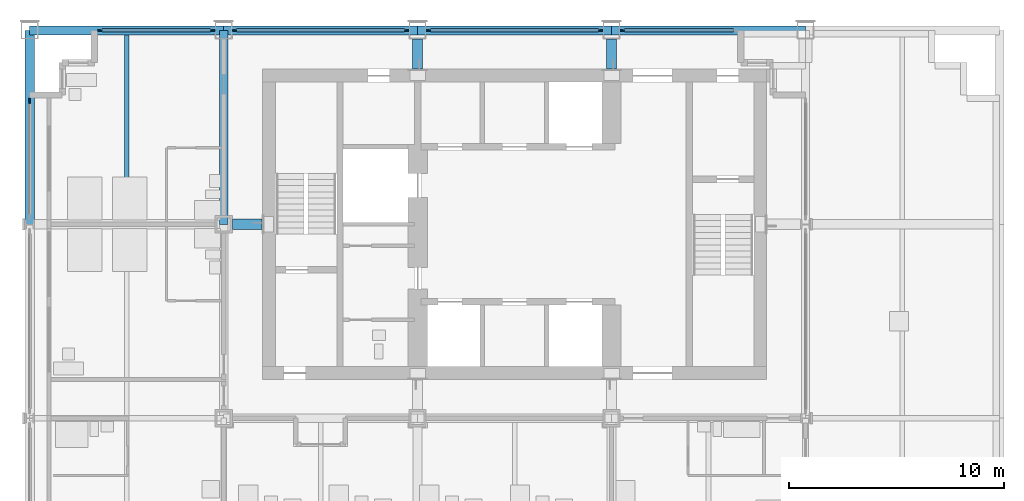
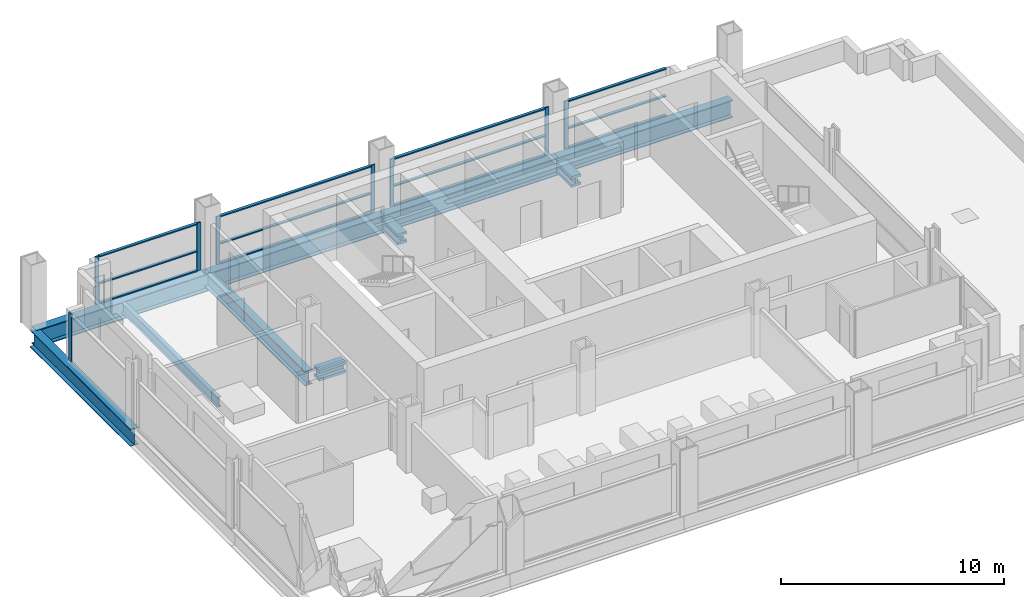
# One storey, part 3 of 12: 23 members, 7 beams, 5 elements without a shape of their own.
"""IFC4 building model written with IfcOpenShell, lengths in metres."""

from ifc_helpers import new_model, si_unit, direction, frame, origin, origin_2d, place, context, subcontext, project, spatial, rectangle, i_section, extrude, material, material_profile, profile_set, type_object, element, aggregate, save


model = new_model("IFC4")

# Units and contexts
model_context = context("Model", 3, precision=1e-05, world=origin(), true_north=direction((0.0, 1.0)))
body_context = subcontext(model_context, "Body", "Model", "MODEL_VIEW")
ifc_project = project(units=[si_unit("LENGTHUNIT", "METRE"), si_unit("AREAUNIT", "SQUARE_METRE"), si_unit("VOLUMEUNIT", "CUBIC_METRE"), si_unit("PLANEANGLEUNIT", "RADIAN"), si_unit("MASSUNIT", "GRAM", prefix="KILO")], contexts=[model_context])

# Site, building, storey
site_placement = place(None, origin())
site = spatial("IfcSite", under=ifc_project, at=site_placement, CompositionType="ELEMENT")
building_placement = place(site_placement, origin())
building = spatial("IfcBuilding", under=site, at=building_placement, Name="Loomwork Tower", CompositionType="ELEMENT")
storey_placement = place(building_placement, frame((0.0, 0.0, 226.60009765625)))
storey = spatial("IfcBuildingStorey", under=building, at=storey_placement, Name="L62", CompositionType="ELEMENT", Elevation=226.60009765625)

# Beams
ifc_material_1 = material(Name="Steel ASTM A992", Category="steel")
ifc_material_profile_1 = material_profile(ifc_material_1, i_section(OverallWidth=0.424072265625, OverallDepth=0.947509765625, WebThickness=0.02392578125, FlangeThickness=0.042724609375, at=origin_2d()), Name="W36x302")
ifc_profile_set_1 = profile_set([ifc_material_profile_1], Name="Steel ASTM A992")
beam_type_1 = type_object("IfcBeamType", Name="BELT CHORD SPANDREL W36x302", PredefinedType="SPANDREL", material=ifc_profile_set_1)
for number, where, z_axis, x_axis, name in (
    (1, (0.0, 27.0, -0.673828125), (1.0, 0.0, 0.0), (0.0, 1.0, 0.0), "Belt Chord Spandrel G/2-G/3 L62"),
    (2, (9.0, 27.0, -0.673828125), (1.0, 0.0, 0.0), (0.0, 1.0, 0.0), "Belt Chord Spandrel G/3-G/4 L62"),
    (3, (18.0, 27.0, -0.673828125), (1.0, 0.0, 0.0), (0.0, 1.0, 0.0), "Belt Chord Spandrel G/4-G/5 L62"),
    (4, (27.0, 27.0, -0.673828125), (1.0, 0.0, 0.0), (0.0, 1.0, 0.0), "Belt Chord Spandrel G/5-G/6 L62"),
    (5, (0.0, 18.0, -0.673828125), (0.0, 1.0, 0.0), (-1.0, 0.0, 0.0), "Belt Chord Spandrel F/2-G/2 L62"),
):
    element("IfcBeam", number, at=place(storey_placement, frame(where, z_axis=z_axis, x_axis=x_axis)), inside=storey, type_object=beam_type_1, Name=name, PredefinedType="SPANDREL", context=body_context, shape_type="SweptSolid", body=[
        extrude(i_section(OverallWidth=0.424072265625, OverallDepth=0.947509765625, WebThickness=0.02392578125, FlangeThickness=0.042724609375, at=origin_2d()), origin(), (0.0, 0.0, 1.0), 9.0),
    ])
ifc_material_2 = material(Name="Steel ASTM A992", Category="steel")
ifc_material_profile_2 = material_profile(ifc_material_2, i_section(OverallWidth=0.383544921875, OverallDepth=0.794921875, WebThickness=0.02099609375, FlangeThickness=0.0380859375, at=origin_2d()), Name="W30x235")
ifc_profile_set_2 = profile_set([ifc_material_profile_2], Name="Steel ASTM A992")
beam_type_2 = type_object("IfcBeamType", Name="CORE FLANK GIRDER W30x235", PredefinedType="BEAM", material=ifc_profile_set_2)
beam_1_placement = place(storey_placement, frame((9.0, 18.0, -0.59765625), z_axis=(0.0, 1.0, 0.0), x_axis=(-1.0, 0.0, 0.0)))
element("IfcBeam", 6, at=beam_1_placement, inside=storey, type_object=beam_type_2, Name="Core Flank Girder F/3-G/3 L62", PredefinedType="BEAM", context=body_context, shape_type="SweptSolid", body=[
    extrude(i_section(OverallWidth=0.383544921875, OverallDepth=0.794921875, WebThickness=0.02099609375, FlangeThickness=0.0380859375, at=origin_2d()), origin(), (0.0, 0.0, 1.0), 9.0),
])
ifc_material_3 = material(Name="Steel ASTM A992", Category="steel")
ifc_material_profile_3 = material_profile(ifc_material_3, i_section(OverallWidth=0.21240234375, OverallDepth=0.54345703125, WebThickness=0.01318359375, FlangeThickness=0.021240234375, at=origin_2d()), Name="W21x83")
ifc_profile_set_3 = profile_set([ifc_material_profile_3], Name="Steel ASTM A992")
beam_type_3 = type_object("IfcBeamType", Name="FLOOR JOIST W21x83", PredefinedType="JOIST", material=ifc_profile_set_3)
beam_2_placement = place(storey_placement, frame((4.5, 18.2119140625, -0.471923828125), z_axis=(0.0, 1.0, 0.0), x_axis=(-1.0, 0.0, 0.0)))
element("IfcBeam", 7, at=beam_2_placement, inside=storey, type_object=beam_type_3, Name="Floor Joist 4.500,18.000-4.500,27.000 L62", PredefinedType="JOIST", context=body_context, shape_type="SweptSolid", body=[
    extrude(i_section(OverallWidth=0.21240234375, OverallDepth=0.54345703125, WebThickness=0.01318359375, FlangeThickness=0.021240234375, at=origin_2d()), origin(), (0.0, 0.0, 1.0), 8.576171875),
])

# Members
ifc_material_4 = material(Name="Steel ASTM A992", Category="steel")
ifc_material_profile_4 = material_profile(ifc_material_4, i_section(OverallWidth=0.4775390625, OverallDepth=0.599365234375, WebThickness=0.10009765625, FlangeThickness=0.139892578125, at=origin_2d()), Name="W14x873")
ifc_profile_set_4 = profile_set([ifc_material_profile_4], Name="Steel ASTM A992")
member_type_1 = type_object("IfcMemberType", Name="OUTRIGGER STRUT W14x873", PredefinedType="STRUT", material=ifc_profile_set_4)
for number, where, z_axis, x_axis, name in (
    (8, (27.0, 26.590087890625, -0.499755859375), (0.0, -1.0, 0.0), (1.0, 0.0, 0.0), "Outrigger strut G/5-27.000,24.900 L62"),
    (9, (18.0, 26.590087890625, -0.499755859375), (0.0, -1.0, 0.0), (1.0, 0.0, 0.0), "Outrigger strut G/4-18.000,24.900 L62"),
    (10, (9.409912109375, 18.0, -0.499755859375), (1.0, 0.0, 0.0), (0.0, 1.0, 0.0), "Outrigger strut F/3-11.100,18.000 L62"),
):
    element("IfcMember", number, at=place(storey_placement, frame(where, z_axis=z_axis, x_axis=x_axis)), inside=storey, type_object=member_type_1, Name=name, PredefinedType="STRUT", context=body_context, shape_type="SweptSolid", body=[
        extrude(i_section(OverallWidth=0.4775390625, OverallDepth=0.599365234375, WebThickness=0.10009765625, FlangeThickness=0.139892578125, at=origin_2d()), origin(), (0.0, 0.0, 1.0), 1.375),
    ])

# Curtain wall, member
ifc_material_5 = material(Name="Aluminium curtain wall frame", Category="aluminium")
curtain_wall_type_1 = type_object("IfcCurtainWallType", Name="Outer skin glazing suites", PredefinedType="NOTDEFINED", material=ifc_material_5)
curtain_wall_1_placement = place(storey_placement, origin())
curtain_wall_1 = element("IfcCurtainWall", 11, at=curtain_wall_1_placement, inside=storey, type_object=curtain_wall_type_1, Name="Outer skin glazing suites cw/W-18", PredefinedType="NOTDEFINED")
ifc_material_6 = material(Name="Aluminium curtain wall frame", Category="aluminium")
ifc_material_profile_5 = material_profile(ifc_material_6, rectangle(XDim=0.06494140625, YDim=0.25, at=origin_2d()), Name="AL 65x250")
ifc_profile_set_5 = profile_set([ifc_material_profile_5], Name="Aluminium curtain wall frame")
member_type_2 = type_object("IfcMemberType", Name="Outer skin glazing suites mullion", PredefinedType="MULLION", material=ifc_profile_set_5)
member_1_placement = place(storey_placement, frame((0.0, 23.72509765625, 0.0), z_axis=(0.0, 0.0, 1.0), x_axis=(1.0, 0.0, 0.0)))
member_1 = element("IfcMember", 12, at=member_1_placement, type_object=member_type_2, Name="CW2 mullion 1", PredefinedType="MULLION", context=body_context, shape_type="SweptSolid", body=[
    extrude(rectangle(XDim=0.06494140625, YDim=0.25, at=origin_2d()), origin(), (0.0, 0.0, 1.0), 2.6201171875),
])
aggregate(curtain_wall_1, [member_1])

# Curtain wall, members
ifc_material_7 = material(Name="Aluminium curtain wall frame", Category="aluminium")
curtain_wall_type_2 = type_object("IfcCurtainWallType", Name="Single skin glazing corridor", PredefinedType="NOTDEFINED", material=ifc_material_7)
curtain_wall_2_placement = place(storey_placement, origin())
curtain_wall_2 = element("IfcCurtainWall", 13, at=curtain_wall_2_placement, inside=storey, type_object=curtain_wall_type_2, Name="Single skin glazing corridor cw/N-0", PredefinedType="NOTDEFINED")
ifc_material_8 = material(Name="Aluminium curtain wall frame", Category="aluminium")
ifc_material_profile_6 = material_profile(ifc_material_8, rectangle(XDim=0.06494140625, YDim=0.199951171875, at=origin_2d()), Name="AL 65x200")
ifc_profile_set_6 = profile_set([ifc_material_profile_6], Name="Aluminium curtain wall frame")
member_type_3 = type_object("IfcMemberType", Name="Single skin glazing corridor mullion", PredefinedType="MULLION", material=ifc_profile_set_6)
member_2_placement = place(storey_placement, frame((8.5, 27.0, 0.0), z_axis=(0.0, 0.0, 1.0), x_axis=(0.0, -1.0, 0.0)))
member_2 = element("IfcMember", 14, at=member_2_placement, type_object=member_type_3, Name="CW3 mullion 1", PredefinedType="MULLION", context=body_context, shape_type="SweptSolid", body=[
    extrude(rectangle(XDim=0.06494140625, YDim=0.199951171875, at=origin_2d()), origin(), (0.0, 0.0, 1.0), 2.6201171875),
])
member_3_placement = place(storey_placement, frame((3.25, 27.0, 0.0), z_axis=(0.0, 0.0, 1.0), x_axis=(0.0, -1.0, 0.0)))
member_3 = element("IfcMember", 15, at=member_3_placement, type_object=member_type_3, Name="CW3 mullion 2", PredefinedType="MULLION", context=body_context, shape_type="SweptSolid", body=[
    extrude(rectangle(XDim=0.06494140625, YDim=0.199951171875, at=origin_2d()), origin(), (0.0, 0.0, 1.0), 2.6201171875),
])

curtain_wall_3_placement = place(storey_placement, origin())
curtain_wall_3 = element("IfcCurtainWall", 16, at=curtain_wall_3_placement, inside=storey, type_object=curtain_wall_type_2, Name="Single skin glazing corridor cw/N-9", PredefinedType="NOTDEFINED")
member_4_placement = place(storey_placement, frame((17.5, 27.0, 0.0), z_axis=(0.0, 0.0, 1.0), x_axis=(0.0, -1.0, 0.0)))
member_4 = element("IfcMember", 17, at=member_4_placement, type_object=member_type_3, Name="CW3 mullion 1", PredefinedType="MULLION", context=body_context, shape_type="SweptSolid", body=[
    extrude(rectangle(XDim=0.06494140625, YDim=0.199951171875, at=origin_2d()), origin(), (0.0, 0.0, 1.0), 2.6201171875),
])
member_5_placement = place(storey_placement, frame((9.5, 27.0, 0.0), z_axis=(0.0, 0.0, 1.0), x_axis=(0.0, -1.0, 0.0)))
member_5 = element("IfcMember", 18, at=member_5_placement, type_object=member_type_3, Name="CW3 mullion 2", PredefinedType="MULLION", context=body_context, shape_type="SweptSolid", body=[
    extrude(rectangle(XDim=0.06494140625, YDim=0.199951171875, at=origin_2d()), origin(), (0.0, 0.0, 1.0), 2.6201171875),
])

curtain_wall_4_placement = place(storey_placement, origin())
curtain_wall_4 = element("IfcCurtainWall", 19, at=curtain_wall_4_placement, inside=storey, type_object=curtain_wall_type_2, Name="Single skin glazing corridor cw/N-18", PredefinedType="NOTDEFINED")
member_6_placement = place(storey_placement, frame((26.5, 27.0, 0.0), z_axis=(0.0, 0.0, 1.0), x_axis=(0.0, -1.0, 0.0)))
member_6 = element("IfcMember", 20, at=member_6_placement, type_object=member_type_3, Name="CW3 mullion 1", PredefinedType="MULLION", context=body_context, shape_type="SweptSolid", body=[
    extrude(rectangle(XDim=0.06494140625, YDim=0.199951171875, at=origin_2d()), origin(), (0.0, 0.0, 1.0), 2.6201171875),
])
member_7_placement = place(storey_placement, frame((18.5, 27.0, 0.0), z_axis=(0.0, 0.0, 1.0), x_axis=(0.0, -1.0, 0.0)))
member_7 = element("IfcMember", 21, at=member_7_placement, type_object=member_type_3, Name="CW3 mullion 2", PredefinedType="MULLION", context=body_context, shape_type="SweptSolid", body=[
    extrude(rectangle(XDim=0.06494140625, YDim=0.199951171875, at=origin_2d()), origin(), (0.0, 0.0, 1.0), 2.6201171875),
])

# Curtain wall, member
curtain_wall_5_placement = place(storey_placement, origin())
curtain_wall_5 = element("IfcCurtainWall", 22, at=curtain_wall_5_placement, inside=storey, type_object=curtain_wall_type_2, Name="Single skin glazing corridor cw/N-27", PredefinedType="NOTDEFINED")
member_8_placement = place(storey_placement, frame((27.5, 27.0, 0.0), z_axis=(0.0, 0.0, 1.0), x_axis=(0.0, -1.0, 0.0)))
member_8 = element("IfcMember", 23, at=member_8_placement, type_object=member_type_3, Name="CW3 mullion 2", PredefinedType="MULLION", context=body_context, shape_type="SweptSolid", body=[
    extrude(rectangle(XDim=0.06494140625, YDim=0.199951171875, at=origin_2d()), origin(), (0.0, 0.0, 1.0), 2.6201171875),
])

# Member
ifc_material_9 = material(Name="Aluminium curtain wall frame", Category="aluminium")
ifc_material_profile_7 = material_profile(ifc_material_9, rectangle(XDim=0.14990234375, YDim=0.06494140625, at=origin_2d()), Name="AL 65x150")
ifc_profile_set_7 = profile_set([ifc_material_profile_7], Name="Aluminium curtain wall frame")
member_type_4 = type_object("IfcMemberType", Name="Single skin glazing corridor transom", PredefinedType="USERDEFINED", material=ifc_profile_set_7)
member_9_placement = place(storey_placement, frame((8.39990234375, 27.0, 0.032470703125), z_axis=(-1.0, 0.0, 0.0), x_axis=(0.0, -1.0, 0.0)))
member_9 = element("IfcMember", 24, at=member_9_placement, type_object=member_type_4, Name="CW3 transom 1.1", ObjectType="TRANSOM", PredefinedType="USERDEFINED", context=body_context, shape_type="SweptSolid", body=[
    extrude(rectangle(XDim=0.14990234375, YDim=0.06494140625, at=origin_2d()), origin(), (0.0, 0.0, 1.0), 5.0498046875),
])

member_10_placement = place(storey_placement, frame((8.39990234375, 27.0, 1.099853515625), z_axis=(-1.0, 0.0, 0.0), x_axis=(0.0, -1.0, 0.0)))
member_10 = element("IfcMember", 25, at=member_10_placement, type_object=member_type_4, Name="CW3 transom 1.2", ObjectType="TRANSOM", PredefinedType="USERDEFINED", context=body_context, shape_type="SweptSolid", body=[
    extrude(rectangle(XDim=0.14990234375, YDim=0.06494140625, at=origin_2d()), origin(), (0.0, 0.0, 1.0), 5.0498046875),
])

member_11_placement = place(storey_placement, frame((8.39990234375, 27.0, 2.587646484375), z_axis=(-1.0, 0.0, 0.0), x_axis=(0.0, -1.0, 0.0)))
member_11 = element("IfcMember", 26, at=member_11_placement, type_object=member_type_4, Name="CW3 transom 1.3", ObjectType="TRANSOM", PredefinedType="USERDEFINED", context=body_context, shape_type="SweptSolid", body=[
    extrude(rectangle(XDim=0.14990234375, YDim=0.06494140625, at=origin_2d()), origin(), (0.0, 0.0, 1.0), 5.0498046875),
])

aggregate(curtain_wall_2, [member_2, member_3, member_9, member_10, member_11])

member_12_placement = place(storey_placement, frame((17.39990234375, 27.0, 0.032470703125), z_axis=(-1.0, 0.0, 0.0), x_axis=(0.0, -1.0, 0.0)))
member_12 = element("IfcMember", 27, at=member_12_placement, type_object=member_type_4, Name="CW3 transom 1.1", ObjectType="TRANSOM", PredefinedType="USERDEFINED", context=body_context, shape_type="SweptSolid", body=[
    extrude(rectangle(XDim=0.14990234375, YDim=0.06494140625, at=origin_2d()), origin(), (0.0, 0.0, 1.0), 7.7998046875),
])

member_13_placement = place(storey_placement, frame((17.39990234375, 27.0, 1.099853515625), z_axis=(-1.0, 0.0, 0.0), x_axis=(0.0, -1.0, 0.0)))
member_13 = element("IfcMember", 28, at=member_13_placement, type_object=member_type_4, Name="CW3 transom 1.2", ObjectType="TRANSOM", PredefinedType="USERDEFINED", context=body_context, shape_type="SweptSolid", body=[
    extrude(rectangle(XDim=0.14990234375, YDim=0.06494140625, at=origin_2d()), origin(), (0.0, 0.0, 1.0), 7.7998046875),
])

member_14_placement = place(storey_placement, frame((17.39990234375, 27.0, 2.587646484375), z_axis=(-1.0, 0.0, 0.0), x_axis=(0.0, -1.0, 0.0)))
member_14 = element("IfcMember", 29, at=member_14_placement, type_object=member_type_4, Name="CW3 transom 1.3", ObjectType="TRANSOM", PredefinedType="USERDEFINED", context=body_context, shape_type="SweptSolid", body=[
    extrude(rectangle(XDim=0.14990234375, YDim=0.06494140625, at=origin_2d()), origin(), (0.0, 0.0, 1.0), 7.7998046875),
])

aggregate(curtain_wall_3, [member_4, member_5, member_12, member_13, member_14])

member_15_placement = place(storey_placement, frame((26.39990234375, 27.0, 0.032470703125), z_axis=(-1.0, 0.0, 0.0), x_axis=(0.0, -1.0, 0.0)))
member_15 = element("IfcMember", 30, at=member_15_placement, type_object=member_type_4, Name="CW3 transom 1.1", ObjectType="TRANSOM", PredefinedType="USERDEFINED", context=body_context, shape_type="SweptSolid", body=[
    extrude(rectangle(XDim=0.14990234375, YDim=0.06494140625, at=origin_2d()), origin(), (0.0, 0.0, 1.0), 7.7998046875),
])

member_16_placement = place(storey_placement, frame((26.39990234375, 27.0, 1.099853515625), z_axis=(-1.0, 0.0, 0.0), x_axis=(0.0, -1.0, 0.0)))
member_16 = element("IfcMember", 31, at=member_16_placement, type_object=member_type_4, Name="CW3 transom 1.2", ObjectType="TRANSOM", PredefinedType="USERDEFINED", context=body_context, shape_type="SweptSolid", body=[
    extrude(rectangle(XDim=0.14990234375, YDim=0.06494140625, at=origin_2d()), origin(), (0.0, 0.0, 1.0), 7.7998046875),
])

member_17_placement = place(storey_placement, frame((26.39990234375, 27.0, 2.587646484375), z_axis=(-1.0, 0.0, 0.0), x_axis=(0.0, -1.0, 0.0)))
member_17 = element("IfcMember", 32, at=member_17_placement, type_object=member_type_4, Name="CW3 transom 1.3", ObjectType="TRANSOM", PredefinedType="USERDEFINED", context=body_context, shape_type="SweptSolid", body=[
    extrude(rectangle(XDim=0.14990234375, YDim=0.06494140625, at=origin_2d()), origin(), (0.0, 0.0, 1.0), 7.7998046875),
])

aggregate(curtain_wall_4, [member_6, member_7, member_15, member_16, member_17])

member_18_placement = place(storey_placement, frame((32.64990234375, 27.0, 0.032470703125), z_axis=(-1.0, 0.0, 0.0), x_axis=(0.0, -1.0, 0.0)))
member_18 = element("IfcMember", 33, at=member_18_placement, type_object=member_type_4, Name="CW3 transom 1.1", ObjectType="TRANSOM", PredefinedType="USERDEFINED", context=body_context, shape_type="SweptSolid", body=[
    extrude(rectangle(XDim=0.14990234375, YDim=0.06494140625, at=origin_2d()), origin(), (0.0, 0.0, 1.0), 5.0498046875),
])

member_19_placement = place(storey_placement, frame((32.64990234375, 27.0, 1.099853515625), z_axis=(-1.0, 0.0, 0.0), x_axis=(0.0, -1.0, 0.0)))
member_19 = element("IfcMember", 34, at=member_19_placement, type_object=member_type_4, Name="CW3 transom 1.2", ObjectType="TRANSOM", PredefinedType="USERDEFINED", context=body_context, shape_type="SweptSolid", body=[
    extrude(rectangle(XDim=0.14990234375, YDim=0.06494140625, at=origin_2d()), origin(), (0.0, 0.0, 1.0), 5.0498046875),
])

member_20_placement = place(storey_placement, frame((32.64990234375, 27.0, 2.587646484375), z_axis=(-1.0, 0.0, 0.0), x_axis=(0.0, -1.0, 0.0)))
member_20 = element("IfcMember", 35, at=member_20_placement, type_object=member_type_4, Name="CW3 transom 1.3", ObjectType="TRANSOM", PredefinedType="USERDEFINED", context=body_context, shape_type="SweptSolid", body=[
    extrude(rectangle(XDim=0.14990234375, YDim=0.06494140625, at=origin_2d()), origin(), (0.0, 0.0, 1.0), 5.0498046875),
])

aggregate(curtain_wall_5, [member_8, member_18, member_19, member_20])

save(model, "model.ifc")
